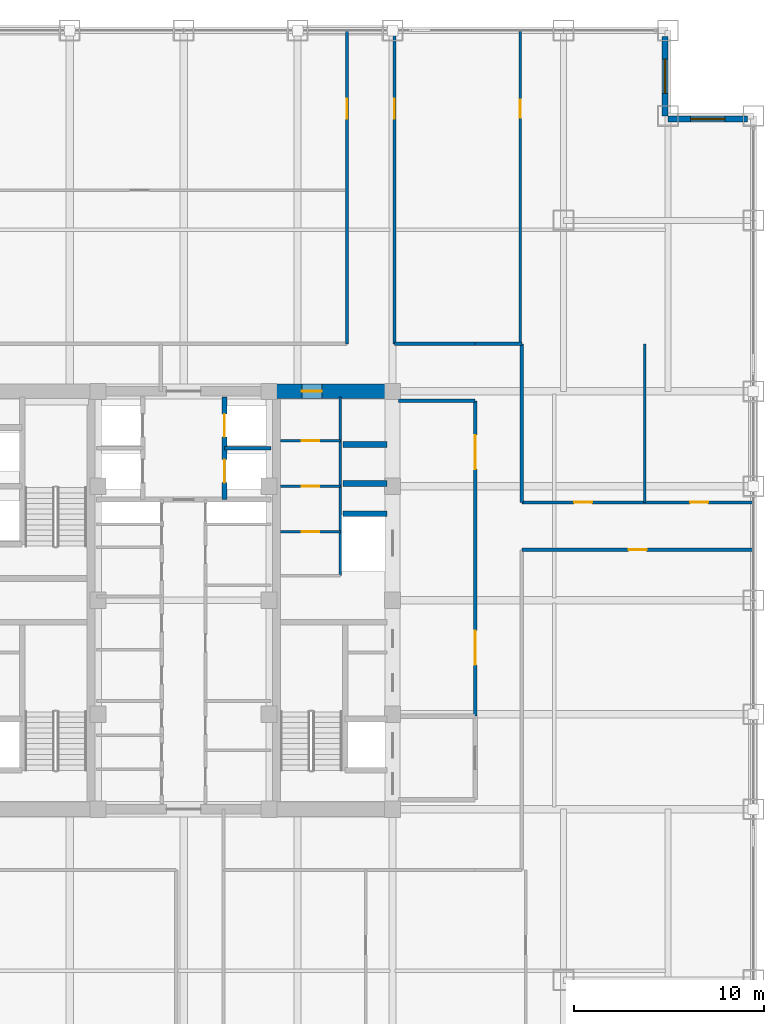
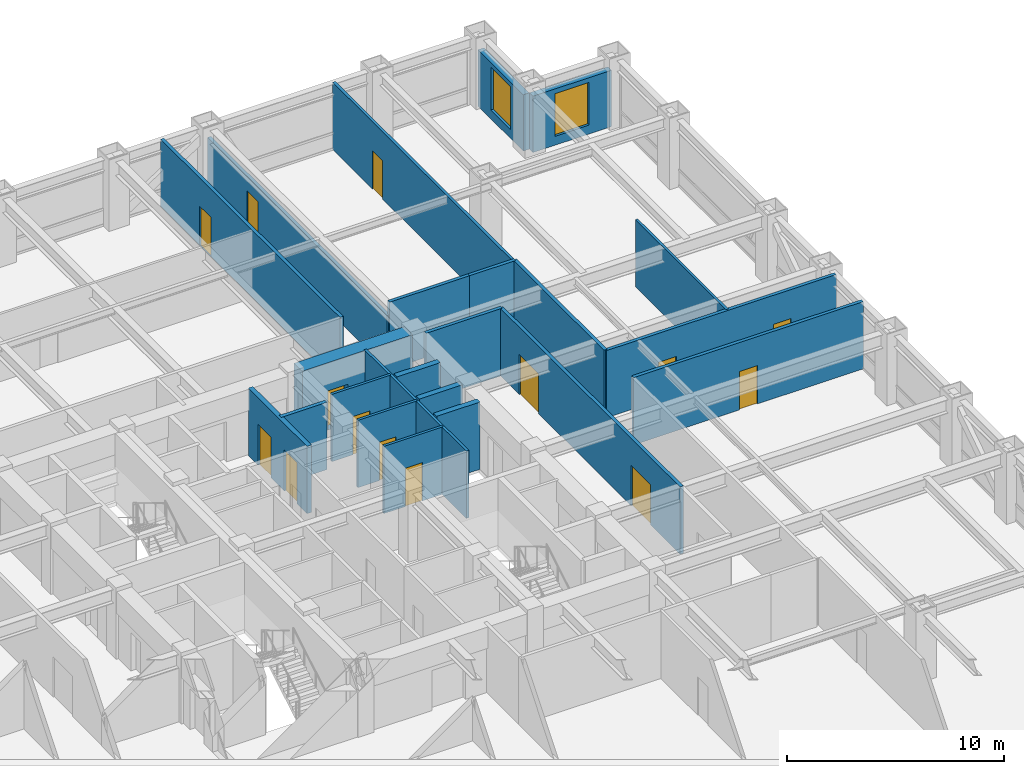
# One storey, part 23 of 25: 23 walls, 14 doors, 2 windows, 16 openings.
"""IFC4 building model written with IfcOpenShell, lengths in metres."""

import ifcopenshell
import ifcopenshell.guid

model = None  # the IFC model being written
_history = None  # IfcOwnerHistory: only IFC2X3 demands one
_inside = {}  # id of a spatial element -> (the spatial element, [elements in it])
_under = {}  # id of a project, library or spatial element -> (it, [spatial elements below it])
_declared = {}  # id of a project -> (the project, [libraries it declares])
_typed = {}  # id of a type object -> (the type object, [elements of that type])
_made_of = {}  # id of a material, layer set ... -> (it, [elements and type objects made of it])


def new_model(schema):
    """Start an empty IFC model of exactly this schema.

    Asked for "IFC4X3", IfcOpenShell would pick the latest addendum, in which some entities
    have other attributes; the version numbers below select the first issue.
    IFC2X3 requires an IfcOwnerHistory on every rooted entity: one is made here for all.
    """
    global model, _history
    if schema == "IFC4X3":
        model = ifcopenshell.file(schema_version=(4, 3, 0, 0))
    else:
        model = ifcopenshell.file(schema=schema)
    _inside.clear()
    _under.clear()
    _declared.clear()
    _typed.clear()
    _made_of.clear()
    _history = None
    if model.schema == "IFC2X3":
        org = make("IfcOrganization", Name="unknown")
        user = make(
            "IfcPersonAndOrganization",
            ThePerson=make("IfcPerson", FamilyName="unknown"),
            TheOrganization=org,
        )
        app = make(
            "IfcApplication",
            ApplicationDeveloper=org,
            Version="unknown",
            ApplicationFullName="unknown",
            ApplicationIdentifier="unknown",
        )
        _history = make(
            "IfcOwnerHistory",
            OwningUser=user,
            OwningApplication=app,
            ChangeAction="ADDED",
            CreationDate=0,
        )
    return model


def make(cls, **values):
    """One entity of the class cls with the attributes given. An attribute that is None is left unset."""
    return model.create_entity(
        cls, **{name: value for name, value in values.items() if value is not None}
    )


def rooted(cls, **values):
    """An entity with a GlobalId (a new one), such as an element, a storey or a relation."""
    return make(cls, GlobalId=ifcopenshell.guid.new(), OwnerHistory=_history, **values)


def si_unit(unit_type, name, prefix=None):
    """IfcSIUnit, for example si_unit("LENGTHUNIT", "METRE", prefix="MILLI")."""
    return make("IfcSIUnit", UnitType=unit_type, Prefix=prefix, Name=name)


def assignment(units):
    """IfcUnitAssignment: the units of a project."""
    return None if units is None else make("IfcUnitAssignment", Units=units)


def point(xyz):
    """IfcCartesianPoint."""
    return None if xyz is None else make("IfcCartesianPoint", Coordinates=xyz)


def direction(xyz):
    """IfcDirection."""
    return None if xyz is None else make("IfcDirection", DirectionRatios=xyz)


def frame(location, z_axis=None, x_axis=None):
    """IfcAxis2Placement3D, a coordinate frame: its origin and axes. An axis left out is left unset."""
    return make(
        "IfcAxis2Placement3D",
        Location=point(location),
        Axis=direction(z_axis),
        RefDirection=direction(x_axis),
    )


def frame_2d(location, x_axis=None):
    """IfcAxis2Placement2D, a coordinate frame in the plane: its origin and x axis."""
    return make(
        "IfcAxis2Placement2D", Location=point(location), RefDirection=direction(x_axis)
    )


def origin():
    """The frame at (0, 0, 0) with its axes left unset."""
    return frame((0.0, 0.0, 0.0))


def place(relative_to, where):
    """IfcLocalPlacement: puts the frame where relative to a parent placement (None: the world)."""
    return make(
        "IfcLocalPlacement", PlacementRelTo=relative_to, RelativePlacement=where
    )


def context(
    kind, dimensions, precision=None, world=None, true_north=None, identifier=None
):
    """IfcGeometricRepresentationContext, for example the 3D "Model" context."""
    return make(
        "IfcGeometricRepresentationContext",
        ContextIdentifier=identifier,
        ContextType=kind,
        CoordinateSpaceDimension=dimensions,
        Precision=precision,
        WorldCoordinateSystem=world,
        TrueNorth=true_north,
    )


def subcontext(parent, identifier, kind, view, scale=None):
    """IfcGeometricRepresentationSubContext, for example "Body" below "Model"."""
    return make(
        "IfcGeometricRepresentationSubContext",
        ContextIdentifier=identifier,
        ContextType=kind,
        ParentContext=parent,
        TargetScale=scale,
        TargetView=view,
    )


def project(units=None, contexts=None):
    """IfcProject with its units and contexts."""
    return rooted(
        "IfcProject",
        Name="project",
        RepresentationContexts=contexts,
        UnitsInContext=assignment(units),
    )


def spatial(cls, under=None, at=None, **own):
    """A site, building, storey or space (cls), placed at a placement, below another one or the project."""
    s = rooted(cls, ObjectPlacement=at, **own)
    if under is not None:
        _under.setdefault(under.id(), (under, []))[1].append(s)
    return s


def profile(cls, at=None, kind="AREA", **sizes):
    """A parametric profile (cls). Its sizes go by their IFC names, for example OverallWidth=200.0."""
    return make(cls, ProfileType=kind, Position=at, **sizes)


def rectangle(**sizes):
    """IfcRectangleProfileDef."""
    return profile("IfcRectangleProfileDef", **sizes)


def extrude(swept, where, along, depth):
    """IfcExtrudedAreaSolid: the profile swept, set in the frame where, extruded along a direction by depth."""
    return make(
        "IfcExtrudedAreaSolid",
        SweptArea=swept,
        Position=where,
        ExtrudedDirection=direction(along),
        Depth=depth,
    )


def shape(context_of_items, identifier, shape_type, items):
    """IfcShapeRepresentation: the items that make up one representation, for example the "Body"."""
    return make(
        "IfcShapeRepresentation",
        ContextOfItems=context_of_items,
        RepresentationIdentifier=identifier,
        RepresentationType=shape_type,
        Items=items,
    )


def source(mapping_origin, context_of_items, identifier, shape_type, items):
    """IfcRepresentationMap: a shape defined once, which mapped items show again and again."""
    return make(
        "IfcRepresentationMap",
        MappingOrigin=mapping_origin,
        MappedRepresentation=shape(context_of_items, identifier, shape_type, items),
    )


def transform(
    local_origin,
    x_axis=None,
    y_axis=None,
    z_axis=None,
    scale=None,
    scale2=None,
    scale3=None,
    uniform=True,
):
    """IfcCartesianTransformationOperator3D, or its non-uniform kind. x_axis, y_axis, z_axis: its Axis1, 2, 3."""
    if uniform:
        return make(
            "IfcCartesianTransformationOperator3D",
            Axis1=direction(x_axis),
            Axis2=direction(y_axis),
            LocalOrigin=point(local_origin),
            Scale=scale,
            Axis3=direction(z_axis),
        )
    return make(
        "IfcCartesianTransformationOperator3DnonUniform",
        Axis1=direction(x_axis),
        Axis2=direction(y_axis),
        LocalOrigin=point(local_origin),
        Scale=scale,
        Axis3=direction(z_axis),
        Scale2=scale2,
        Scale3=scale3,
    )


def mapped(mapping_source, mapping_target):
    """IfcMappedItem: shows the shape of a source again, moved by a transform."""
    return make(
        "IfcMappedItem", MappingSource=mapping_source, MappingTarget=mapping_target
    )


def material(Name=None, Category=None):
    """IfcMaterial."""
    return make("IfcMaterial", Name=Name, Category=Category)


def layer(
    of_material, thickness, ventilated=None, Name=None, Category=None, Priority=None
):
    """IfcMaterialLayer: one layer of a wall or slab, of a material (None: an air gap)."""
    return make(
        "IfcMaterialLayer",
        Material=of_material,
        LayerThickness=thickness,
        IsVentilated=ventilated,
        Name=Name,
        Category=Category,
        Priority=Priority,
    )


def layer_set(layers, Name=None):
    """IfcMaterialLayerSet."""
    return make("IfcMaterialLayerSet", MaterialLayers=layers, LayerSetName=Name)


def made_of(thing, what):
    """Note that an element or type object is made of a material, layer set ...; save() writes the relation."""
    if what is not None:
        _made_of.setdefault(what.id(), (what, []))[1].append(thing)
    return thing


def type_object(cls, material=None, **own):
    """A type object (cls), such as IfcWallType, which elements share."""
    return made_of(rooted(cls, **own), material)


def element(
    cls,
    number,
    at=None,
    inside=None,
    cuts=None,
    type_object=None,
    material=None,
    context=None,
    identifier="Body",
    shape_type=None,
    held_by="IfcProductDefinitionShape",
    body=None,
    shapes=None,
    **own,
):
    """One element of the class cls, such as IfcWall. Its Tag is "e" and its number.

    at: its placement. inside: the storey or other place that contains it. cuts: it is an
    opening in that element (IfcRelVoidsElement). A single representation is given by context,
    identifier, shape_type and body (its items); several are given by shapes. held_by: the class
    of the entity that holds the representations. save() writes the other relations.
    """
    e = rooted(cls, Tag="e%d" % number, ObjectPlacement=at, **own)
    if body is not None:
        shapes = [shape(context, identifier, shape_type, body)]
    if shapes is not None:
        e.Representation = make(held_by, Representations=shapes)
    if inside is not None:
        _inside.setdefault(inside.id(), (inside, []))[1].append(e)
    if cuts is not None:
        rooted(
            "IfcRelVoidsElement", RelatingBuildingElement=cuts, RelatedOpeningElement=e
        )
    if type_object is not None:
        _typed.setdefault(type_object.id(), (type_object, []))[1].append(e)
    return made_of(e, material)


def fill(opening, filler):
    """IfcRelFillsElement: the door or window that sits in an opening."""
    return rooted(
        "IfcRelFillsElement",
        RelatingOpeningElement=opening,
        RelatedBuildingElement=filler,
    )


def aggregate(whole, parts):
    """IfcRelAggregates: a whole, such as a stair, and the parts it consists of."""
    return rooted("IfcRelAggregates", RelatingObject=whole, RelatedObjects=parts)


def save(model, path):
    """Write the relations noted so far, then the file.

    IfcRelAggregates (storeys below a building ...), IfcRelContainedInSpatialStructure (elements
    in a storey), IfcRelDefinesByType, IfcRelAssociatesMaterial and IfcRelDeclares: one each for
    every whole, place, type object, material and project.
    """
    for whole, parts in _under.values():
        aggregate(whole, parts)
    for where, things in _inside.values():
        rooted(
            "IfcRelContainedInSpatialStructure",
            RelatedElements=things,
            RelatingStructure=where,
        )
    for kind, things in _typed.values():
        rooted("IfcRelDefinesByType", RelatedObjects=things, RelatingType=kind)
    for what, things in _made_of.values():
        rooted("IfcRelAssociatesMaterial", RelatedObjects=things, RelatingMaterial=what)
    for by, libraries in _declared.values():
        rooted("IfcRelDeclares", RelatingContext=by, RelatedDefinitions=libraries)
    model.write(path)


model = new_model("IFC4")

# Units and contexts
model_context = context("Model", 3, precision=1e-05, world=origin(), true_north=direction((0.0, 1.0)))
body_context = subcontext(model_context, "Body", "Model", "MODEL_VIEW")
ifc_project = project(units=[si_unit("LENGTHUNIT", "METRE"), si_unit("AREAUNIT", "SQUARE_METRE"), si_unit("VOLUMEUNIT", "CUBIC_METRE"), si_unit("PLANEANGLEUNIT", "RADIAN"), si_unit("MASSUNIT", "GRAM", prefix="KILO")], contexts=[model_context])

# Site, building, storey
site_placement = place(None, origin())
site = spatial("IfcSite", under=ifc_project, at=site_placement, CompositionType="ELEMENT")
building_placement = place(site_placement, origin())
building = spatial("IfcBuilding", under=site, at=building_placement, Name="Khorayat Bourse Tower", CompositionType="ELEMENT")
storey_placement = place(building_placement, frame((0.0, 0.0, 195.10009765625)))
storey = spatial("IfcBuildingStorey", under=building, at=storey_placement, Name="L45", CompositionType="ELEMENT", Elevation=195.10009765625)

# Wall, opening, door
ifc_material_1 = material(Name="Concrete C72/90", Category="concrete")
ifc_layer_1 = layer(ifc_material_1, 0.75)
ifc_layer_set_1 = layer_set([ifc_layer_1], Name="Concrete C72/90")
wall_type_1 = type_object("IfcWallType", Name="WAL-CORE-750", PredefinedType="SHEAR", material=ifc_layer_set_1)
shared_shape_1 = source(origin(), body_context, "Body", "SweptSolid", [
    extrude(rectangle(XDim=5.849853515625, YDim=0.75, at=frame_2d((2.9248046875, 0.0))), origin(), (0.0, 0.0, 1.0), 3.77978515625),
])
wall_1_placement = place(storey_placement, frame((4.85009765625, 11.0, 0.0), z_axis=(0.0, 0.0, 1.0), x_axis=(1.0, 0.0, 0.0)))
wall_1 = element("IfcWall", 1, at=wall_1_placement, inside=storey, type_object=wall_type_1, Name="L45 Core Shear Wall PIER-EN", PredefinedType="SHEAR", context=body_context, shape_type="MappedRepresentation", body=[
    mapped(shared_shape_1, transform((0.0, 0.0, 0.0), scale=1.0)),
])
shared_shape_2 = source(origin(), body_context, "Body", "SweptSolid", [
    extrude(rectangle(XDim=1.050048828125, YDim=2.199951171875, at=frame_2d((0.52490234375, 1.10009765625))), frame((0.0, 0.385009765625, 0.0), z_axis=(0.0, -1.0, 0.0), x_axis=(1.0, 0.0, 0.0)), (0.0, 0.0, 1.0), 0.77001953125),
])
opening_1_placement = place(wall_1_placement, frame((1.375, 0.0, 0.0)))
opening_1 = element("IfcOpeningElement", 2, at=opening_1_placement, cuts=wall_1, Name="Opening DI-04", PredefinedType="OPENING", context=body_context, shape_type="MappedRepresentation", body=[
    mapped(shared_shape_2, transform((0.0, 0.0, 0.0), scale=1.0)),
])
ifc_material_2 = material(Name="Fire-rated oak veneer suite entrance door")
door_type_1 = type_object("IfcDoorType", Name="DR-INT-SUITE-1050", OperationType="NOTDEFINED", PredefinedType="DOOR", material=ifc_material_2)
shared_shape_3 = source(origin(), body_context, "Body", "SweptSolid", [
    extrude(rectangle(XDim=1.050048828125, YDim=2.199951171875, at=frame_2d((0.52490234375, 1.10009765625))), frame((0.0, 0.02490234375, 0.0), z_axis=(0.0, -1.0, 0.0), x_axis=(1.0, 0.0, 0.0)), (0.0, 0.0, 1.0), 0.050048828125),
])
door_1_placement = place(opening_1_placement, origin())
door_1 = element("IfcDoor", 3, at=door_1_placement, inside=storey, type_object=door_type_1, Name="L45 Core Washroom Lobby Door", OperationType="SINGLE_SWING_LEFT", OverallHeight=2.199951171875, OverallWidth=1.050048828125, PredefinedType="DOOR", context=body_context, shape_type="MappedRepresentation", body=[
    mapped(shared_shape_3, transform((0.0, 0.0, 0.0), scale=1.0)),
])
fill(opening_1, door_1)

# Wall, opening, window
ifc_material_3 = material(Name="Precast concrete C45/55", Category="concrete")
ifc_layer_2 = layer(ifc_material_3, 0.320068359375)
ifc_layer_set_2 = layer_set([ifc_layer_2], Name="Precast concrete C45/55")
wall_type_2 = type_object("IfcWallType", Name="WAL-EXT-STONE-320", PredefinedType="STANDARD", material=ifc_layer_set_2)
shared_shape_4 = source(origin(), body_context, "Body", "SweptSolid", [
    extrude(rectangle(XDim=4.179931640625, YDim=0.320068359375, at=frame_2d((2.08984375, 0.0))), origin(), (0.0, 0.0, 1.0), 3.163818359375),
])
wall_2_placement = place(storey_placement, frame((25.5, 25.340087890625, 0.0), z_axis=(0.0, 0.0, 1.0), x_axis=(1.0, 0.0, 0.0)))
wall_2 = element("IfcWall", 4, at=wall_2_placement, inside=storey, type_object=wall_type_2, Name="L45 Re-Entrant Notch Limestone Wall NE-H", PredefinedType="STANDARD", context=body_context, shape_type="MappedRepresentation", body=[
    mapped(shared_shape_4, transform((0.0, 0.0, 0.0), scale=1.0)),
])
shared_shape_5 = source(origin(), body_context, "Body", "SweptSolid", [
    extrude(rectangle(XDim=1.800048828125, YDim=2.39990234375, at=frame_2d((0.89990234375, 1.199951171875))), frame((0.0, 0.169921875, 0.0), z_axis=(0.0, -1.0, 0.0), x_axis=(1.0, 0.0, 0.0)), (0.0, 0.0, 1.0), 0.340087890625),
])
opening_2_placement = place(wall_2_placement, frame((1.18994140625, 0.0, 0.5)))
opening_2 = element("IfcOpeningElement", 5, at=opening_2_placement, cuts=wall_2, Name="Opening WN-04", PredefinedType="OPENING", context=body_context, shape_type="MappedRepresentation", body=[
    mapped(shared_shape_5, transform((0.0, 0.0, 0.0), scale=1.0)),
])
ifc_material_4 = material(Name="Low-E acoustic laminated double glazing", Category="glass")
window_type = type_object("IfcWindowType", Name="WIN-NOTCH-1800x2400", PartitioningType="SINGLE_PANEL", PredefinedType="WINDOW", material=ifc_material_4)
shared_shape_6 = source(origin(), body_context, "Body", "SweptSolid", [
    extrude(rectangle(XDim=1.800048828125, YDim=2.39990234375, at=frame_2d((0.89990234375, 1.199951171875))), frame((0.0, 0.030029296875, 0.0), z_axis=(0.0, -1.0, 0.0), x_axis=(1.0, 0.0, 0.0)), (0.0, 0.0, 1.0), 0.06005859375),
])
window_1_placement = place(opening_2_placement, origin())
window_1 = element("IfcWindow", 6, at=window_1_placement, inside=storey, type_object=window_type, Name="L45 Facade Window 1", OverallHeight=2.39990234375, OverallWidth=1.800048828125, PartitioningType="SINGLE_PANEL", PredefinedType="WINDOW", context=body_context, shape_type="MappedRepresentation", body=[
    mapped(shared_shape_6, transform((0.0, 0.0, 0.0), scale=1.0)),
])
fill(opening_2, window_1)

wall_3_placement = place(storey_placement, frame((25.340087890625, 25.5, 0.0), z_axis=(0.0, 0.0, 1.0), x_axis=(0.0, 1.0, 0.0)))
wall_3 = element("IfcWall", 7, at=wall_3_placement, inside=storey, type_object=wall_type_2, Name="L45 Re-Entrant Notch Limestone Wall NE-V", PredefinedType="STANDARD", context=body_context, shape_type="MappedRepresentation", body=[
    mapped(shared_shape_4, transform((0.0, 0.0, 0.0), scale=1.0)),
])
opening_3_placement = place(wall_3_placement, frame((1.18994140625, 0.0, 0.5)))
opening_3 = element("IfcOpeningElement", 8, at=opening_3_placement, cuts=wall_3, Name="Opening WN-04", PredefinedType="OPENING", context=body_context, shape_type="MappedRepresentation", body=[
    mapped(shared_shape_5, transform((0.0, 0.0, 0.0), scale=1.0)),
])
window_2_placement = place(opening_3_placement, origin())
window_2 = element("IfcWindow", 9, at=window_2_placement, inside=storey, type_object=window_type, Name="L45 Facade Window 1", OverallHeight=2.39990234375, OverallWidth=1.800048828125, PartitioningType="SINGLE_PANEL", PredefinedType="WINDOW", context=body_context, shape_type="MappedRepresentation", body=[
    mapped(shared_shape_6, transform((0.0, 0.0, 0.0), scale=1.0)),
])
fill(opening_3, window_2)

# Walls
ifc_material_5 = material(Name="Concrete C50/60", Category="concrete")
ifc_layer_3 = layer(ifc_material_5, 0.300048828125)
ifc_layer_set_3 = layer_set([ifc_layer_3], Name="Concrete C50/60")
wall_type_3 = type_object("IfcWallType", Name="WAL-SHAFT-300", PredefinedType="SHEAR", material=ifc_layer_set_3)
shared_shape_7 = source(origin(), body_context, "Body", "SweptSolid", [
    extrude(rectangle(XDim=2.300048828125, YDim=0.300048828125, at=frame_2d((1.14990234375, 0.0))), origin(), (0.0, 0.0, 1.0), 3.77978515625),
])
for number, where, z_axis, x_axis, name in (
    (10, (8.39990234375, 4.550048828125, 0.0), (0.0, 0.0, 1.0), (1.0, 0.0, 0.0), "L45 Partition WAL-L45-EPIER-SVLN"),
    (11, (8.39990234375, 6.14990234375, 0.0), (0.0, 0.0, 1.0), (1.0, 0.0, 0.0), "L45 Partition WAL-L45-EPIER-H3S"),
    (12, (8.39990234375, 8.199951171875, 0.0), (0.0, 0.0, 1.0), (1.0, 0.0, 0.0), "L45 Partition WAL-L45-EPIER-H34"),
):
    element("IfcWall", number, at=place(storey_placement, frame(where, z_axis=z_axis, x_axis=x_axis)), inside=storey, type_object=wall_type_3, Name=name, PredefinedType="SHEAR", context=body_context, shape_type="MappedRepresentation", body=[
        mapped(shared_shape_7, transform((0.0, 0.0, 0.0), scale=1.0)),
    ])
ifc_material_6 = material(Name="Moisture-resistant masonry partition", Category="masonry")
ifc_layer_4 = layer(ifc_material_6, 0.139892578125)
ifc_layer_set_4 = layer_set([ifc_layer_4], Name="Moisture-resistant masonry partition")
wall_type_4 = type_object("IfcWallType", Name="WAL-PART-WET-140", PredefinedType="PARTITIONING", material=ifc_layer_set_4)
shared_shape_8 = source(origin(), body_context, "Body", "SweptSolid", [
    extrude(rectangle(XDim=9.39990234375, YDim=0.139892578125, at=frame_2d((4.699951171875, 0.0))), origin(), (0.0, 0.0, 1.0), 3.77978515625),
])
wall_4_placement = place(storey_placement, frame((8.25, 1.300048828125, 0.0), z_axis=(0.0, 0.0, 1.0), x_axis=(0.0, 1.0, 0.0)))
element("IfcWall", 13, at=wall_4_placement, inside=storey, type_object=wall_type_4, Name="L45 Partition WAL-L45-ECORE-E", PredefinedType="PARTITIONING", context=body_context, shape_type="MappedRepresentation", body=[
    mapped(shared_shape_8, transform((0.0, 0.0, 0.0), scale=1.0)),
])

# Wall, opening, door
shared_shape_9 = source(origin(), body_context, "Body", "SweptSolid", [
    extrude(rectangle(XDim=3.14990234375, YDim=0.139892578125, at=frame_2d((1.574951171875, 0.0))), origin(), (0.0, 0.0, 1.0), 3.77978515625),
])
wall_5_placement = place(storey_placement, frame((5.10009765625, 8.39990234375, 0.0), z_axis=(0.0, 0.0, 1.0), x_axis=(1.0, 0.0, 0.0)))
wall_5 = element("IfcWall", 14, at=wall_5_placement, inside=storey, type_object=wall_type_4, Name="L45 Partition WAL-L45-ECW-TOP", PredefinedType="PARTITIONING", context=body_context, shape_type="MappedRepresentation", body=[
    mapped(shared_shape_9, transform((0.0, 0.0, 0.0), scale=1.0)),
])
shared_shape_10 = source(origin(), body_context, "Body", "SweptSolid", [
    extrude(rectangle(XDim=0.89990234375, YDim=2.14990234375, at=frame_2d((0.449951171875, 1.074951171875))), frame((0.0, 0.079833984375, 0.0), z_axis=(0.0, -1.0, 0.0), x_axis=(1.0, 0.0, 0.0)), (0.0, 0.0, 1.0), 0.159912109375),
])
opening_4_placement = place(wall_5_placement, frame((1.1298828125, 0.0, 0.0)))
opening_4 = element("IfcOpeningElement", 15, at=opening_4_placement, cuts=wall_5, Name="Opening DI-06", PredefinedType="OPENING", context=body_context, shape_type="MappedRepresentation", body=[
    mapped(shared_shape_10, transform((0.0, 0.0, 0.0), scale=1.0)),
])
ifc_material_7 = material(Name="Moisture-resistant laminate washroom door")
door_type_2 = type_object("IfcDoorType", Name="DR-INT-WC-900", OperationType="NOTDEFINED", PredefinedType="DOOR", material=ifc_material_7)
shared_shape_11 = source(origin(), body_context, "Body", "SweptSolid", [
    extrude(rectangle(XDim=0.89990234375, YDim=2.14990234375, at=frame_2d((0.449951171875, 1.074951171875))), frame((0.0, 0.02490234375, 0.0), z_axis=(0.0, -1.0, 0.0), x_axis=(1.0, 0.0, 0.0)), (0.0, 0.0, 1.0), 0.050048828125),
])
door_2_placement = place(opening_4_placement, origin())
door_2 = element("IfcDoor", 16, at=door_2_placement, inside=storey, type_object=door_type_2, Name="L45 Accessible WC Door", OperationType="SINGLE_SWING_LEFT", OverallHeight=2.14990234375, OverallWidth=0.89990234375, PredefinedType="DOOR", context=body_context, shape_type="MappedRepresentation", body=[
    mapped(shared_shape_11, transform((0.0, 0.0, 0.0), scale=1.0)),
])
fill(opening_4, door_2)

wall_6_placement = place(storey_placement, frame((5.10009765625, 6.0, 0.0), z_axis=(0.0, 0.0, 1.0), x_axis=(1.0, 0.0, 0.0)))
wall_6 = element("IfcWall", 17, at=wall_6_placement, inside=storey, type_object=wall_type_4, Name="L45 Partition WAL-L45-ECW-H1", PredefinedType="PARTITIONING", context=body_context, shape_type="MappedRepresentation", body=[
    mapped(shared_shape_9, transform((0.0, 0.0, 0.0), scale=1.0)),
])
opening_5_placement = place(wall_6_placement, frame((1.1298828125, 0.0, 0.0)))
opening_5 = element("IfcOpeningElement", 18, at=opening_5_placement, cuts=wall_6, Name="Opening DI-06", PredefinedType="OPENING", context=body_context, shape_type="MappedRepresentation", body=[
    mapped(shared_shape_10, transform((0.0, 0.0, 0.0), scale=1.0)),
])
door_3_placement = place(opening_5_placement, origin())
door_3 = element("IfcDoor", 19, at=door_3_placement, inside=storey, type_object=door_type_2, Name="L45 Shared Washroom Door", OperationType="SINGLE_SWING_RIGHT", OverallHeight=2.14990234375, OverallWidth=0.89990234375, PredefinedType="DOOR", context=body_context, shape_type="MappedRepresentation", body=[
    mapped(shared_shape_11, transform((0.0, 0.0, 0.0), scale=1.0)),
])
fill(opening_5, door_3)

wall_7_placement = place(storey_placement, frame((5.10009765625, 3.60009765625, 0.0), z_axis=(0.0, 0.0, 1.0), x_axis=(1.0, 0.0, 0.0)))
wall_7 = element("IfcWall", 20, at=wall_7_placement, inside=storey, type_object=wall_type_4, Name="L45 Partition WAL-L45-ECW-H2", PredefinedType="PARTITIONING", context=body_context, shape_type="MappedRepresentation", body=[
    mapped(shared_shape_9, transform((0.0, 0.0, 0.0), scale=1.0)),
])
opening_6_placement = place(wall_7_placement, frame((1.1298828125, 0.0, 0.0)))
opening_6 = element("IfcOpeningElement", 21, at=opening_6_placement, cuts=wall_7, Name="Opening DI-06", PredefinedType="OPENING", context=body_context, shape_type="MappedRepresentation", body=[
    mapped(shared_shape_10, transform((0.0, 0.0, 0.0), scale=1.0)),
])
door_4_placement = place(opening_6_placement, origin())
door_4 = element("IfcDoor", 22, at=door_4_placement, inside=storey, type_object=door_type_2, Name="L45 Staff Washroom Door", OperationType="SINGLE_SWING_LEFT", OverallHeight=2.14990234375, OverallWidth=0.89990234375, PredefinedType="DOOR", context=body_context, shape_type="MappedRepresentation", body=[
    mapped(shared_shape_11, transform((0.0, 0.0, 0.0), scale=1.0)),
])
fill(opening_6, door_4)

# Wall
ifc_material_8 = material(Name="Gypsum plasterboard acoustic stud wall")
ifc_layer_5 = layer(ifc_material_8, 0.179931640625)
ifc_layer_set_5 = layer_set([ifc_layer_5], Name="Gypsum plasterboard acoustic stud wall")
wall_type_5 = type_object("IfcWallType", Name="WAL-PART-CORR-180", PredefinedType="PARTITIONING", material=ifc_layer_set_5)
shared_shape_12 = source(origin(), body_context, "Body", "SweptSolid", [
    extrude(rectangle(XDim=4.050048828125, YDim=0.179931640625, at=frame_2d((2.02490234375, 0.0))), origin(), (0.0, 0.0, 1.0), 3.77978515625),
])
wall_8_placement = place(storey_placement, frame((11.300048828125, 10.5, 0.0), z_axis=(0.0, 0.0, 1.0), x_axis=(1.0, 0.0, 0.0)))
element("IfcWall", 23, at=wall_8_placement, inside=storey, type_object=wall_type_5, Name="L45 Partition WAL-L45-ELOB-N", PredefinedType="PARTITIONING", context=body_context, shape_type="MappedRepresentation", body=[
    mapped(shared_shape_12, transform((0.0, 0.0, 0.0), scale=1.0)),
])

# Wall, openings, doors
shared_shape_13 = source(origin(), body_context, "Body", "SweptSolid", [
    extrude(rectangle(XDim=16.60009765625, YDim=0.179931640625, at=frame_2d((8.300048828125, 0.0))), origin(), (0.0, 0.0, 1.0), 3.77978515625),
])
wall_9_placement = place(storey_placement, frame((15.35009765625, -6.10009765625, 0.0), z_axis=(0.0, 0.0, 1.0), x_axis=(0.0, 1.0, 0.0)))
wall_9 = element("IfcWall", 24, at=wall_9_placement, inside=storey, type_object=wall_type_5, Name="L45 Partition WAL-L45-ELOB-E", PredefinedType="PARTITIONING", context=body_context, shape_type="MappedRepresentation", body=[
    mapped(shared_shape_13, transform((0.0, 0.0, 0.0), scale=1.0)),
])
shared_shape_14 = source(origin(), body_context, "Body", "SweptSolid", [
    extrude(rectangle(XDim=1.800048828125, YDim=2.25, at=frame_2d((0.89990234375, 1.125))), frame((0.0, 0.099853515625, 0.0), z_axis=(0.0, -1.0, 0.0), x_axis=(1.0, 0.0, 0.0)), (0.0, 0.0, 1.0), 0.199951171875),
])
opening_7_placement = place(wall_9_placement, frame((2.699951171875, 0.0, 0.0)))
opening_7 = element("IfcOpeningElement", 25, at=opening_7_placement, cuts=wall_9, Name="Opening DI-03", PredefinedType="OPENING", context=body_context, shape_type="MappedRepresentation", body=[
    mapped(shared_shape_14, transform((0.0, 0.0, 0.0), scale=1.0)),
])
opening_8_placement = place(wall_9_placement, frame((13.0, 0.0, 0.0)))
opening_8 = element("IfcOpeningElement", 26, at=opening_8_placement, cuts=wall_9, Name="Opening DI-03", PredefinedType="OPENING", context=body_context, shape_type="MappedRepresentation", body=[
    mapped(shared_shape_14, transform((0.0, 0.0, 0.0), scale=1.0)),
])
ifc_material_9 = material(Name="Fire-rated hardwood vision-panel double leaf", Category="wood")
door_type_3 = type_object("IfcDoorType", Name="DR-INT-CORR-1800", OperationType="NOTDEFINED", PredefinedType="DOOR", material=ifc_material_9)
shared_shape_15 = source(origin(), body_context, "Body", "SweptSolid", [
    extrude(rectangle(XDim=1.800048828125, YDim=2.25, at=frame_2d((0.89990234375, 1.125))), frame((0.0, 0.02490234375, 0.0), z_axis=(0.0, -1.0, 0.0), x_axis=(1.0, 0.0, 0.0)), (0.0, 0.0, 1.0), 0.050048828125),
])
door_5_placement = place(opening_7_placement, origin())
door_5 = element("IfcDoor", 27, at=door_5_placement, inside=storey, type_object=door_type_3, Name="L45 East Core Lobby South Door", OperationType="SINGLE_SWING_RIGHT", OverallHeight=2.25, OverallWidth=1.800048828125, PredefinedType="DOOR", context=body_context, shape_type="MappedRepresentation", body=[
    mapped(shared_shape_15, transform((0.0, 0.0, 0.0), scale=1.0)),
])
fill(opening_7, door_5)
door_6_placement = place(opening_8_placement, origin())
door_6 = element("IfcDoor", 28, at=door_6_placement, inside=storey, type_object=door_type_3, Name="L45 East Core Lobby North Door", OperationType="SINGLE_SWING_LEFT", OverallHeight=2.25, OverallWidth=1.800048828125, PredefinedType="DOOR", context=body_context, shape_type="MappedRepresentation", body=[
    mapped(shared_shape_15, transform((0.0, 0.0, 0.0), scale=1.0)),
])
fill(opening_8, door_6)

shared_shape_16 = source(origin(), body_context, "Body", "SweptSolid", [
    extrude(rectangle(XDim=5.39990234375, YDim=0.25, at=frame_2d((2.699951171875, 0.0))), origin(), (0.0, 0.0, 1.0), 3.77978515625),
])
wall_10_placement = place(storey_placement, frame((2.14990234375, 5.300048828125, 0.0), z_axis=(0.0, 0.0, 1.0), x_axis=(0.0, 1.0, 0.0)))
wall_10 = element("IfcWall", 29, at=wall_10_placement, inside=storey, type_object=wall_type_3, Name="L45 Partition WAL-L45-B2-E", PredefinedType="SHEAR", context=body_context, shape_type="MappedRepresentation", body=[
    mapped(shared_shape_16, transform((0.0, 0.0, 0.0), scale=1.0)),
])
shared_shape_17 = source(origin(), body_context, "Body", "SweptSolid", [
    extrude(rectangle(XDim=1.199951171875, YDim=2.300048828125, at=frame_2d((0.60009765625, 1.14990234375))), frame((0.0, 0.135009765625, 0.0), z_axis=(0.0, -1.0, 0.0), x_axis=(1.0, 0.0, 0.0)), (0.0, 0.0, 1.0), 0.27001953125),
])
opening_9_placement = place(wall_10_placement, frame((3.300048828125, 0.0, 0.0)))
opening_9 = element("IfcOpeningElement", 30, at=opening_9_placement, cuts=wall_10, Name="Opening LD-01", PredefinedType="OPENING", context=body_context, shape_type="MappedRepresentation", body=[
    mapped(shared_shape_17, transform((0.0, 0.0, 0.0), scale=1.0)),
])
opening_10_placement = place(wall_10_placement, frame((0.89990234375, 0.0, 0.0)))
opening_10 = element("IfcOpeningElement", 31, at=opening_10_placement, cuts=wall_10, Name="Opening LD-01", PredefinedType="OPENING", context=body_context, shape_type="MappedRepresentation", body=[
    mapped(shared_shape_17, transform((0.0, 0.0, 0.0), scale=1.0)),
])
ifc_material_10 = material(Name="Brushed bronze stainless-steel sliding door", Category="steel")
door_type_4 = type_object("IfcDoorType", Name="DR-LIFT-PASS-1200", OperationType="NOTDEFINED", PredefinedType="DOOR", material=ifc_material_10)
shared_shape_18 = source(origin(), body_context, "Body", "SweptSolid", [
    extrude(rectangle(XDim=1.199951171875, YDim=2.300048828125, at=frame_2d((0.60009765625, 1.14990234375))), frame((0.0, 0.02490234375, 0.0), z_axis=(0.0, -1.0, 0.0), x_axis=(1.0, 0.0, 0.0)), (0.0, 0.0, 1.0), 0.050048828125),
])
door_7_placement = place(opening_9_placement, origin())
door_7 = element("IfcDoor", 32, at=door_7_placement, inside=storey, type_object=door_type_4, Name="L45 Lift PL-M2 Sliding Landing Door", OperationType="SLIDING_TO_LEFT", OverallHeight=2.300048828125, OverallWidth=1.199951171875, PredefinedType="DOOR", context=body_context, shape_type="MappedRepresentation", body=[
    mapped(shared_shape_18, transform((0.0, 0.0, 0.0), scale=1.0)),
])
fill(opening_9, door_7)
door_8_placement = place(opening_10_placement, origin())
door_8 = element("IfcDoor", 33, at=door_8_placement, inside=storey, type_object=door_type_4, Name="L45 Lift PL-M4 Sliding Landing Door", OperationType="SLIDING_TO_LEFT", OverallHeight=2.300048828125, OverallWidth=1.199951171875, PredefinedType="DOOR", context=body_context, shape_type="MappedRepresentation", body=[
    mapped(shared_shape_18, transform((0.0, 0.0, 0.0), scale=1.0)),
])
fill(opening_10, door_8)

# Walls
shared_shape_19 = source(origin(), body_context, "Body", "SweptSolid", [
    extrude(rectangle(XDim=2.4501953125, YDim=0.199951171875, at=frame_2d((1.22509765625, 0.0))), origin(), (0.0, 0.0, 1.0), 3.77978515625),
])
wall_11_placement = place(storey_placement, frame((2.14990234375, 8.0, 0.0), z_axis=(0.0, 0.0, 1.0), x_axis=(1.0, 0.0, 0.0)))
element("IfcWall", 34, at=wall_11_placement, inside=storey, type_object=wall_type_3, Name="L45 Partition WAL-L45-B2-ME", PredefinedType="SHEAR", context=body_context, shape_type="MappedRepresentation", body=[
    mapped(shared_shape_19, transform((0.0, 0.0, 0.0), scale=1.0)),
])
shared_shape_20 = source(origin(), body_context, "Body", "SweptSolid", [
    extrude(rectangle(XDim=2.449951171875, YDim=0.179931640625, at=frame_2d((1.22509765625, 0.0))), origin(), (0.0, 0.0, 1.0), 3.77978515625),
])
wall_12_placement = place(storey_placement, frame((15.35009765625, 13.5, 0.0), z_axis=(0.0, 0.0, 1.0), x_axis=(1.0, 0.0, 0.0)))
element("IfcWall", 35, at=wall_12_placement, inside=storey, type_object=wall_type_5, Name="L45 Partition WAL-L45-C2-EN", PredefinedType="PARTITIONING", context=body_context, shape_type="MappedRepresentation", body=[
    mapped(shared_shape_20, transform((0.0, 0.0, 0.0), scale=1.0)),
])

# Wall, opening, door
shared_shape_21 = source(origin(), body_context, "Body", "SweptSolid", [
    extrude(rectangle(XDim=16.5, YDim=0.179931640625, at=frame_2d((8.25, 0.0))), origin(), (0.0, 0.0, 1.0), 3.77978515625),
])
wall_13_placement = place(storey_placement, frame((8.60009765625, 13.5, 0.0), z_axis=(0.0, 0.0, 1.0), x_axis=(0.0, 1.0, 0.0)))
wall_13 = element("IfcWall", 36, at=wall_13_placement, inside=storey, type_object=wall_type_5, Name="L45 Partition WAL-L45-QNW-SPK", PredefinedType="PARTITIONING", context=body_context, shape_type="MappedRepresentation", body=[
    mapped(shared_shape_21, transform((0.0, 0.0, 0.0), scale=1.0)),
])
shared_shape_22 = source(origin(), body_context, "Body", "SweptSolid", [
    extrude(rectangle(XDim=1.050048828125, YDim=2.199951171875, at=frame_2d((0.52490234375, 1.10009765625))), frame((0.0, 0.099853515625, 0.0), z_axis=(0.0, -1.0, 0.0), x_axis=(1.0, 0.0, 0.0)), (0.0, 0.0, 1.0), 0.199951171875),
])
opening_11_placement = place(wall_13_placement, frame((11.85009765625, 0.0, 0.0)))
opening_11 = element("IfcOpeningElement", 37, at=opening_11_placement, cuts=wall_13, Name="Opening DI-04", PredefinedType="OPENING", context=body_context, shape_type="MappedRepresentation", body=[
    mapped(shared_shape_22, transform((0.0, 0.0, 0.0), scale=1.0)),
])
door_9_placement = place(opening_11_placement, origin())
door_9 = element("IfcDoor", 38, at=door_9_placement, inside=storey, type_object=door_type_1, Name="L45 North-West Radial Spoke Entry", OperationType="SINGLE_SWING_LEFT", OverallHeight=2.199951171875, OverallWidth=1.050048828125, PredefinedType="DOOR", context=body_context, shape_type="MappedRepresentation", body=[
    mapped(shared_shape_3, transform((0.0, 0.0, 0.0), scale=1.0)),
])
fill(opening_11, door_9)

ifc_material_11 = material(Name="Gypsum plasterboard twin-frame partition")
ifc_layer_6 = layer(ifc_material_11, 0.14990234375)
ifc_layer_set_6 = layer_set([ifc_layer_6], Name="Gypsum plasterboard twin-frame partition")
wall_type_6 = type_object("IfcWallType", Name="WAL-PART-SUITE-150", PredefinedType="PARTITIONING", material=ifc_layer_set_6)
shared_shape_23 = source(origin(), body_context, "Body", "SweptSolid", [
    extrude(rectangle(XDim=16.5, YDim=0.14990234375, at=frame_2d((8.25, 0.0))), origin(), (0.0, 0.0, 1.0), 3.77978515625),
])
wall_14_placement = place(storey_placement, frame((17.72412109375, 13.5, 0.0), z_axis=(0.0, 0.0, 1.0), x_axis=(0.0, 1.0, 0.0)))
wall_14 = element("IfcWall", 39, at=wall_14_placement, inside=storey, type_object=wall_type_6, Name="L45 Partition WAL-L45-QNEDV-1", PredefinedType="PARTITIONING", context=body_context, shape_type="MappedRepresentation", body=[
    mapped(shared_shape_23, transform((0.0, 0.0, 0.0), scale=1.0)),
])
shared_shape_24 = source(origin(), body_context, "Body", "SweptSolid", [
    extrude(rectangle(XDim=0.949951171875, YDim=2.14990234375, at=frame_2d((0.47509765625, 1.074951171875))), frame((0.0, 0.0849609375, 0.0), z_axis=(0.0, -1.0, 0.0), x_axis=(1.0, 0.0, 0.0)), (0.0, 0.0, 1.0), 0.169921875),
])
opening_12_placement = place(wall_14_placement, frame((11.89990234375, 0.0, 0.0)))
opening_12 = element("IfcOpeningElement", 40, at=opening_12_placement, cuts=wall_14, Name="Opening DI-05", PredefinedType="OPENING", context=body_context, shape_type="MappedRepresentation", body=[
    mapped(shared_shape_24, transform((0.0, 0.0, 0.0), scale=1.0)),
])
ifc_material_12 = material(Name="Acoustic oak veneer office door")
door_type_5 = type_object("IfcDoorType", Name="DR-INT-OFFICE-950", OperationType="NOTDEFINED", PredefinedType="DOOR", material=ifc_material_12)
shared_shape_25 = source(origin(), body_context, "Body", "SweptSolid", [
    extrude(rectangle(XDim=0.949951171875, YDim=2.14990234375, at=frame_2d((0.47509765625, 1.074951171875))), frame((0.0, 0.02490234375, 0.0), z_axis=(0.0, -1.0, 0.0), x_axis=(1.0, 0.0, 0.0)), (0.0, 0.0, 1.0), 0.050048828125),
])
door_10_placement = place(opening_12_placement, origin())
door_10 = element("IfcDoor", 41, at=door_10_placement, inside=storey, type_object=door_type_5, Name="L45 North-East Suite Link 1", OperationType="SINGLE_SWING_RIGHT", OverallHeight=2.14990234375, OverallWidth=0.949951171875, PredefinedType="DOOR", context=body_context, shape_type="MappedRepresentation", body=[
    mapped(shared_shape_25, transform((0.0, 0.0, 0.0), scale=1.0)),
])
fill(opening_12, door_10)

shared_shape_26 = source(origin(), body_context, "Body", "SweptSolid", [
    extrude(rectangle(XDim=12.199951171875, YDim=0.179931640625, at=frame_2d((6.10009765625, 0.0))), origin(), (0.0, 0.0, 1.0), 3.77978515625),
])
wall_15_placement = place(storey_placement, frame((17.800048828125, 2.64990234375, 0.0), z_axis=(0.0, 0.0, 1.0), x_axis=(1.0, 0.0, 0.0)))
wall_15 = element("IfcWall", 42, at=wall_15_placement, inside=storey, type_object=wall_type_5, Name="L45 Partition WAL-L45-ES-SPK", PredefinedType="PARTITIONING", context=body_context, shape_type="MappedRepresentation", body=[
    mapped(shared_shape_26, transform((0.0, 0.0, 0.0), scale=1.0)),
])
shared_shape_27 = source(origin(), body_context, "Body", "SweptSolid", [
    extrude(rectangle(XDim=0.949951171875, YDim=2.14990234375, at=frame_2d((0.47509765625, 1.074951171875))), frame((0.0, 0.099853515625, 0.0), z_axis=(0.0, -1.0, 0.0), x_axis=(1.0, 0.0, 0.0)), (0.0, 0.0, 1.0), 0.199951171875),
])
opening_13_placement = place(wall_15_placement, frame((5.625, 0.0, 0.0)))
opening_13 = element("IfcOpeningElement", 43, at=opening_13_placement, cuts=wall_15, Name="Opening DI-05", PredefinedType="OPENING", context=body_context, shape_type="MappedRepresentation", body=[
    mapped(shared_shape_27, transform((0.0, 0.0, 0.0), scale=1.0)),
])
door_11_placement = place(opening_13_placement, origin())
door_11 = element("IfcDoor", 44, at=door_11_placement, inside=storey, type_object=door_type_5, Name="L45 Clearing Operations Office ES Door", OperationType="SINGLE_SWING_LEFT", OverallHeight=2.14990234375, OverallWidth=0.949951171875, PredefinedType="DOOR", context=body_context, shape_type="MappedRepresentation", body=[
    mapped(shared_shape_25, transform((0.0, 0.0, 0.0), scale=1.0)),
])
fill(opening_13, door_11)

# Wall, openings, doors
wall_16_placement = place(storey_placement, frame((17.800048828125, 5.14990234375, 0.0), z_axis=(0.0, 0.0, 1.0), x_axis=(1.0, 0.0, 0.0)))
wall_16 = element("IfcWall", 45, at=wall_16_placement, inside=storey, type_object=wall_type_5, Name="L45 Partition WAL-L45-EN-SPK", PredefinedType="PARTITIONING", context=body_context, shape_type="MappedRepresentation", body=[
    mapped(shared_shape_26, transform((0.0, 0.0, 0.0), scale=1.0)),
])
opening_14_placement = place(wall_16_placement, frame((2.758056640625, 0.0, 0.0)))
opening_14 = element("IfcOpeningElement", 46, at=opening_14_placement, cuts=wall_16, Name="Opening DI-05", PredefinedType="OPENING", context=body_context, shape_type="MappedRepresentation", body=[
    mapped(shared_shape_27, transform((0.0, 0.0, 0.0), scale=1.0)),
])
opening_15_placement = place(wall_16_placement, frame((8.85791015625, 0.0, 0.0)))
opening_15 = element("IfcOpeningElement", 47, at=opening_15_placement, cuts=wall_16, Name="Opening DI-05", PredefinedType="OPENING", context=body_context, shape_type="MappedRepresentation", body=[
    mapped(shared_shape_27, transform((0.0, 0.0, 0.0), scale=1.0)),
])
door_12_placement = place(opening_14_placement, origin())
door_12 = element("IfcDoor", 48, at=door_12_placement, inside=storey, type_object=door_type_5, Name="L45 Market Risk Analytics Workspace ENA Door", OperationType="SINGLE_SWING_LEFT", OverallHeight=2.14990234375, OverallWidth=0.949951171875, PredefinedType="DOOR", context=body_context, shape_type="MappedRepresentation", body=[
    mapped(shared_shape_25, transform((0.0, 0.0, 0.0), scale=1.0)),
])
fill(opening_14, door_12)
door_13_placement = place(opening_15_placement, origin())
door_13 = element("IfcDoor", 49, at=door_13_placement, inside=storey, type_object=door_type_5, Name="L45 Equities Trading Desk ENB Door", OperationType="SINGLE_SWING_RIGHT", OverallHeight=2.14990234375, OverallWidth=0.949951171875, PredefinedType="DOOR", context=body_context, shape_type="MappedRepresentation", body=[
    mapped(shared_shape_25, transform((0.0, 0.0, 0.0), scale=1.0)),
])
fill(opening_15, door_13)

# Wall, opening, door
shared_shape_28 = source(origin(), body_context, "Body", "SweptSolid", [
    extrude(rectangle(XDim=16.5, YDim=0.179931640625, at=frame_2d((8.25, 0.0))), origin(), (0.0, 0.0, 1.0), 3.0068359375),
])
wall_17_placement = place(storey_placement, frame((11.10009765625, 13.5, 0.0), z_axis=(0.0, 0.0, 1.0), x_axis=(0.0, 1.0, 0.0)))
wall_17 = element("IfcWall", 50, at=wall_17_placement, inside=storey, type_object=wall_type_5, Name="L45 Partition WAL-L45-QNE-SPK", PredefinedType="PARTITIONING", context=body_context, shape_type="MappedRepresentation", body=[
    mapped(shared_shape_28, transform((0.0, 0.0, 0.0), scale=1.0)),
])
opening_16_placement = place(wall_17_placement, frame((11.85009765625, 0.0, 0.0)))
opening_16 = element("IfcOpeningElement", 51, at=opening_16_placement, cuts=wall_17, Name="Opening DI-04", PredefinedType="OPENING", context=body_context, shape_type="MappedRepresentation", body=[
    mapped(shared_shape_22, transform((0.0, 0.0, 0.0), scale=1.0)),
])
door_14_placement = place(opening_16_placement, origin())
door_14 = element("IfcDoor", 52, at=door_14_placement, inside=storey, type_object=door_type_1, Name="L45 North-East Radial Spoke Entry", OperationType="SINGLE_SWING_LEFT", OverallHeight=2.199951171875, OverallWidth=1.050048828125, PredefinedType="DOOR", context=body_context, shape_type="MappedRepresentation", body=[
    mapped(shared_shape_3, transform((0.0, 0.0, 0.0), scale=1.0)),
])
fill(opening_16, door_14)

# Walls
shared_shape_29 = source(origin(), body_context, "Body", "SweptSolid", [
    extrude(rectangle(XDim=4.25, YDim=0.179931640625, at=frame_2d((2.125, 0.0))), origin(), (0.0, 0.0, 1.0), 3.77978515625),
])
wall_18_placement = place(storey_placement, frame((11.10009765625, 13.5, 0.0), z_axis=(0.0, 0.0, 1.0), x_axis=(1.0, 0.0, 0.0)))
element("IfcWall", 53, at=wall_18_placement, inside=storey, type_object=wall_type_5, Name="L45 Partition WAL-L45-QNE-HC", PredefinedType="PARTITIONING", context=body_context, shape_type="MappedRepresentation", body=[
    mapped(shared_shape_29, transform((0.0, 0.0, 0.0), scale=1.0)),
])
ifc_material_13 = material(Name="Gypsum plasterboard partition")
ifc_layer_7 = layer(ifc_material_13, 0.125)
ifc_layer_set_7 = layer_set([ifc_layer_7], Name="Gypsum plasterboard partition")
wall_type_7 = type_object("IfcWallType", Name="WAL-PART-ROOM-125", PredefinedType="PARTITIONING", material=ifc_layer_set_7)
shared_shape_30 = source(origin(), body_context, "Body", "SweptSolid", [
    extrude(rectangle(XDim=8.35009765625, YDim=0.125, at=frame_2d((4.175048828125, 0.0))), origin(), (0.0, 0.0, 1.0), 3.77978515625),
])
wall_19_placement = place(storey_placement, frame((24.26611328125, 5.14990234375, 0.0), z_axis=(0.0, 0.0, 1.0), x_axis=(0.0, 1.0, 0.0)))
element("IfcWall", 54, at=wall_19_placement, inside=storey, type_object=wall_type_7, Name="L45 Partition WAL-L45-EN-DV", PredefinedType="PARTITIONING", context=body_context, shape_type="MappedRepresentation", body=[
    mapped(shared_shape_30, transform((0.0, 0.0, 0.0), scale=1.0)),
])
shared_shape_31 = source(origin(), body_context, "Body", "SweptSolid", [
    extrude(rectangle(XDim=8.35009765625, YDim=0.179931640625, at=frame_2d((4.175048828125, 0.0))), origin(), (0.0, 0.0, 1.0), 3.77978515625),
])
wall_20_placement = place(storey_placement, frame((17.800048828125, 5.14990234375, 0.0), z_axis=(0.0, 0.0, 1.0), x_axis=(0.0, 1.0, 0.0)))
element("IfcWall", 55, at=wall_20_placement, inside=storey, type_object=wall_type_5, Name="L45 Partition WAL-L45-EN-IN", PredefinedType="PARTITIONING", context=body_context, shape_type="MappedRepresentation", body=[
    mapped(shared_shape_31, transform((0.0, 0.0, 0.0), scale=1.0)),
])

save(model, "model.ifc")
